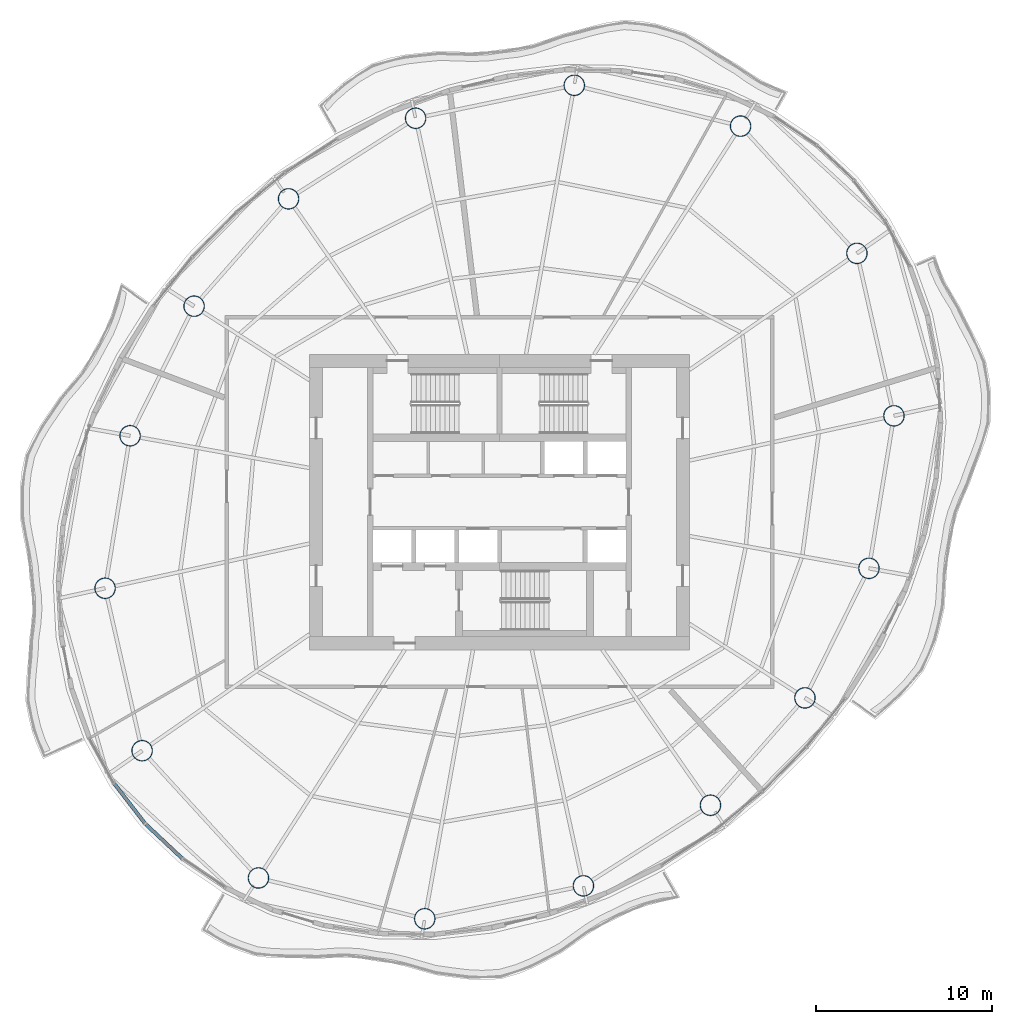
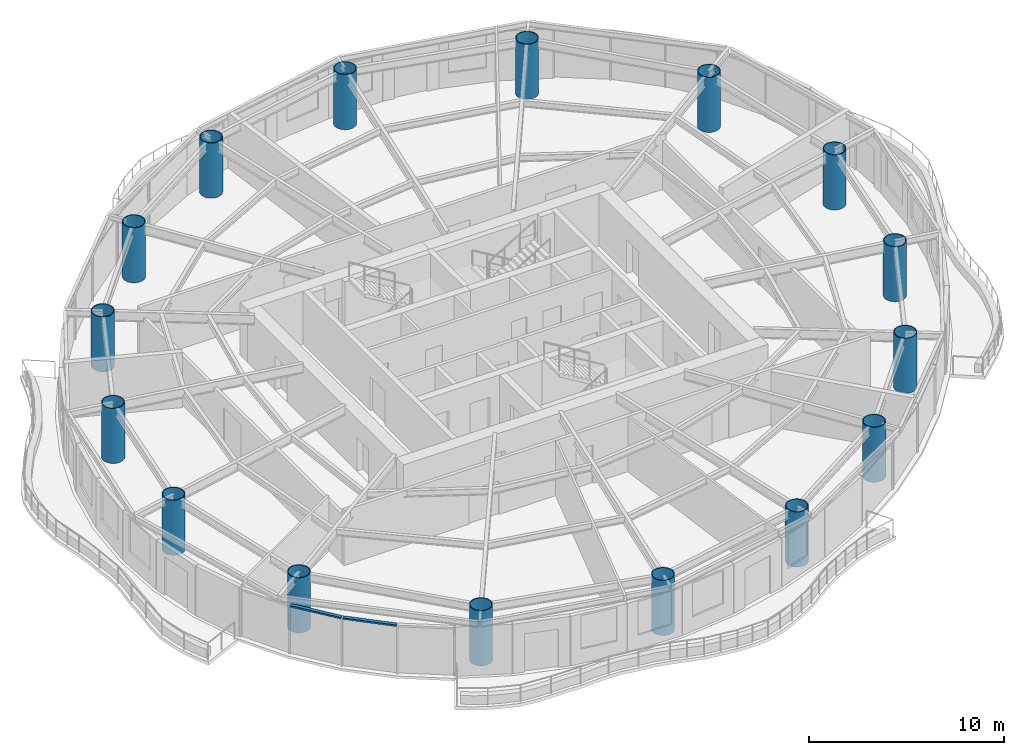
# One storey, part 1 of 14: 16 columns, 2 members, 2 elements without a shape of their own.
"""IFC4 building model written with IfcOpenShell, lengths in metres."""

from ifc_helpers import new_model, si_unit, direction, frame, origin, origin_2d, place, context, subcontext, project, spatial, rectangle, hollow_circle, extrude, material, material_profile, profile_set, type_object, element, aggregate, save


model = new_model("IFC4")

# Units and contexts
model_context = context("Model", 3, precision=1e-05, world=origin(), true_north=direction((0.0, 1.0)))
body_context = subcontext(model_context, "Body", "Model", "MODEL_VIEW")
ifc_project = project(units=[si_unit("LENGTHUNIT", "METRE"), si_unit("AREAUNIT", "SQUARE_METRE"), si_unit("VOLUMEUNIT", "CUBIC_METRE"), si_unit("PLANEANGLEUNIT", "RADIAN"), si_unit("MASSUNIT", "GRAM", prefix="KILO")], contexts=[model_context])

# Site, building, storey
site_placement = place(None, origin())
site = spatial("IfcSite", under=ifc_project, at=site_placement, CompositionType="ELEMENT")
building_placement = place(site_placement, origin())
building = spatial("IfcBuilding", under=site, at=building_placement, Name="Vermilion Reach Broadcast Tower", CompositionType="ELEMENT")
storey_placement = place(building_placement, frame((0.0, 0.0, 202.89990234375)))
storey = spatial("IfcBuildingStorey", under=building, at=storey_placement, Name="L49", CompositionType="ELEMENT", Elevation=202.89990234375)

# Columns
ifc_material_1 = material(Name="Concrete C60 infill in steel S460NL tube", Category="concrete")
ifc_material_profile_1 = material_profile(ifc_material_1, hollow_circle(Radius=0.60009765625, WallThickness=0.044921875, at=origin_2d()), Name="Concrete C60 infill in steel S460NL tube CFT 1200x45")
ifc_profile_set_1 = profile_set([ifc_material_profile_1], Name="Concrete C60 infill in steel S460NL tube")
column_type = type_object("IfcColumnType", Name="MC4 CFT 1200x45", PredefinedType="COLUMN", material=ifc_profile_set_1)
for number, where, z_axis, x_axis, name in (
    (1, (7.70361328125, 21.3701171875, 0.0), (0.0, 0.0, 1.0), (1.0, 0.0, 0.0), "Mega-column MC4-01"),
    (2, (-1.75, 23.691162109375, 0.0), (0.0, 0.0, 1.0), (1.0, 0.0, 0.0), "Mega-column MC4-02"),
    (3, (-10.769287109375, 21.818603515625, 0.0), (0.0, 0.0, 1.0), (1.0, 0.0, 0.0), "Mega-column MC4-03"),
    (4, (-17.993408203125, 17.23681640625, 0.0), (0.0, 0.0, 1.0), (1.0, 0.0, 0.0), "Mega-column MC4-04"),
    (5, (-23.36279296875, 11.134033203125, 0.0), (0.0, 0.0, 1.0), (1.0, 0.0, 0.0), "Mega-column MC4-05"),
    (6, (-27.002685546875, 3.767578125, 0.0), (0.0, 0.0, 1.0), (1.0, 0.0, 0.0), "Mega-column MC4-06"),
    (7, (-28.423828125, -4.9013671875, 0.0), (0.0, 0.0, 1.0), (1.0, 0.0, 0.0), "Mega-column MC4-07"),
    (8, (-26.318115234375, -14.13720703125, 0.0), (0.0, 0.0, 1.0), (1.0, 0.0, 0.0), "Mega-column MC4-08"),
    (9, (-19.70361328125, -21.3701171875, 0.0), (0.0, 0.0, 1.0), (1.0, 0.0, 0.0), "Mega-column MC4-09"),
    (10, (-10.25, -23.691162109375, 0.0), (0.0, 0.0, 1.0), (1.0, 0.0, 0.0), "Mega-column MC4-10"),
    (11, (-1.230712890625, -21.818603515625, 0.0), (0.0, 0.0, 1.0), (1.0, 0.0, 0.0), "Mega-column MC4-11"),
    (12, (5.993408203125, -17.23681640625, 0.0), (0.0, 0.0, 1.0), (1.0, 0.0, 0.0), "Mega-column MC4-12"),
    (13, (11.36279296875, -11.134033203125, 0.0), (0.0, 0.0, 1.0), (1.0, 0.0, 0.0), "Mega-column MC4-13"),
    (14, (15.002685546875, -3.767578125, 0.0), (0.0, 0.0, 1.0), (1.0, 0.0, 0.0), "Mega-column MC4-14"),
    (15, (16.423828125, 4.9013671875, 0.0), (0.0, 0.0, 1.0), (1.0, 0.0, 0.0), "Mega-column MC4-15"),
    (16, (14.318115234375, 14.13720703125, 0.0), (0.0, 0.0, 1.0), (1.0, 0.0, 0.0), "Mega-column MC4-16"),
):
    element("IfcColumn", number, at=place(storey_placement, frame(where, z_axis=z_axis, x_axis=x_axis)), inside=storey, type_object=column_type, Name=name, PredefinedType="COLUMN", context=body_context, shape_type="SweptSolid", body=[
        extrude(hollow_circle(Radius=0.60009765625, WallThickness=0.044921875, at=origin_2d()), origin(), (0.0, 0.0, 1.0), 3.4501953125),
    ])

# Curtain wall, member
ifc_material_2 = material(Name="Low-e laminated clear glass in aluminium frame", Category="aluminium")
curtain_wall_type = type_object("IfcCurtainWallType", Name="Slot curtain wall", PredefinedType="NOTDEFINED", material=ifc_material_2)
placement = place(storey_placement, origin())
curtain_wall_1 = element("IfcCurtainWall", 17, at=placement, inside=storey, type_object=curtain_wall_type, Name="Slot curtain wall L49 23", PredefinedType="NOTDEFINED")
ifc_material_3 = material(Name="Anodised aluminium", Category="aluminium")
ifc_material_profile_2 = material_profile(ifc_material_3, rectangle(XDim=0.199951171875, YDim=0.10009765625, at=origin_2d()), Name="Slot transom 200 x 100")
ifc_profile_set_2 = profile_set([ifc_material_profile_2], Name="Anodised aluminium")
member_type = type_object("IfcMemberType", Name="Slot transom 200 x 100", PredefinedType="USERDEFINED", material=ifc_profile_set_2)
member_1_placement = place(storey_placement, frame((-27.890380859375, -16.021240234375, 3.0), z_axis=(0.611051227057, -0.79159105472, 0.0), x_axis=(0.79159105472, 0.611051227057, 0.0)))
member_1 = element("IfcMember", 18, at=member_1_placement, type_object=member_type, Name="Slot transom L49 23.1", ObjectType="TRANSOM", PredefinedType="USERDEFINED", context=body_context, shape_type="SweptSolid", body=[
    extrude(rectangle(XDim=0.199951171875, YDim=0.10009765625, at=origin_2d()), origin(), (0.0, 0.0, 1.0), 2.823486328125),
])
aggregate(curtain_wall_1, [member_1])

curtain_wall_2 = element("IfcCurtainWall", 19, at=placement, inside=storey, type_object=curtain_wall_type, Name="Slot curtain wall L49 24", PredefinedType="NOTDEFINED")
member_2_placement = place(storey_placement, frame((-26.111328125, -18.315185546875, 3.0), z_axis=(0.72910561342, -0.684401201401, 0.0), x_axis=(0.684401201401, 0.72910561342, 0.0)))
member_2 = element("IfcMember", 20, at=member_2_placement, type_object=member_type, Name="Slot transom L49 24.1", ObjectType="TRANSOM", PredefinedType="USERDEFINED", context=body_context, shape_type="SweptSolid", body=[
    extrude(rectangle(XDim=0.199951171875, YDim=0.10009765625, at=origin_2d()), origin(), (0.0, 0.0, 1.0), 2.823486328125),
])
aggregate(curtain_wall_2, [member_2])

save(model, "model.ifc")
